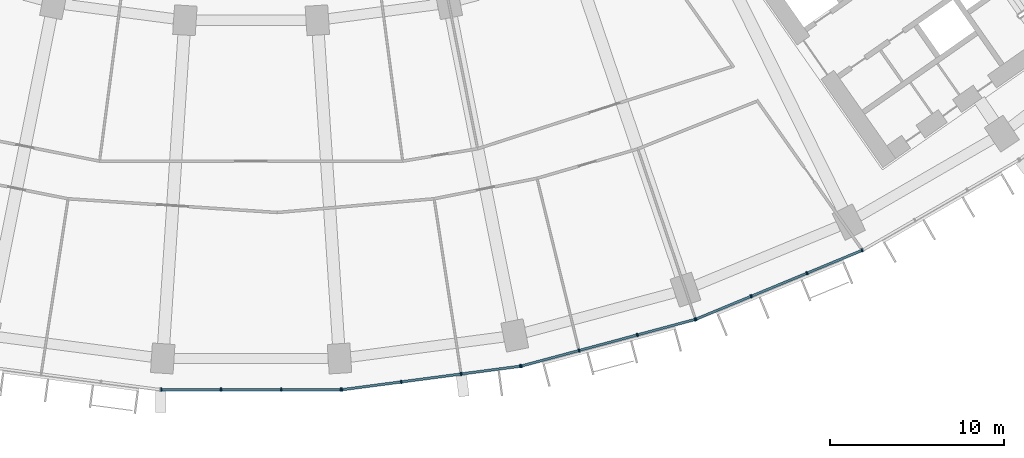
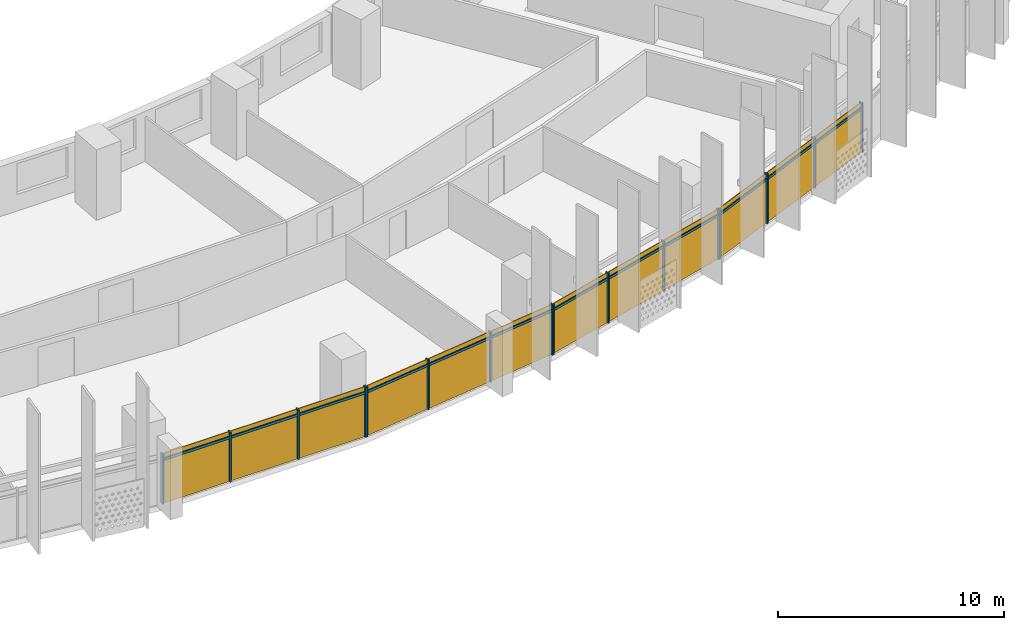
# One storey, part 23 of 32: 28 members, 4 curtain walls.
"""IFC4 building model written with IfcOpenShell, lengths in metres."""

from ifc_helpers import new_model, si_unit, direction, frame, origin, origin_2d, place, context, subcontext, project, spatial, rectangle, extrude, material, material_profile, profile_set, type_object, element, aggregate, save


model = new_model("IFC4")

# Units and contexts
model_context = context("Model", 3, precision=1e-05, world=origin(), true_north=direction((0.0, 1.0)))
body_context = subcontext(model_context, "Body", "Model", "MODEL_VIEW")
ifc_project = project(units=[si_unit("LENGTHUNIT", "METRE"), si_unit("AREAUNIT", "SQUARE_METRE"), si_unit("VOLUMEUNIT", "CUBIC_METRE"), si_unit("PLANEANGLEUNIT", "RADIAN"), si_unit("MASSUNIT", "GRAM", prefix="KILO")], contexts=[model_context])

# Member
ifc_material = material(Name="Aluminium 6063-T6 anodised", Category="aluminium")
ifc_material_profile_1 = material_profile(ifc_material, rectangle(XDim=0.199951171875, YDim=0.070068359375, at=origin_2d()))
ifc_profile_set_1 = profile_set([ifc_material_profile_1], Name="Aluminium 6063-T6 anodised")
member_type_1 = type_object("IfcMemberType", Name="Mullion 70 x 200 aluminium", PredefinedType="MULLION", material=ifc_profile_set_1)
site_placement = place(None, origin())
building_placement = place(site_placement, origin())
storey_placement = place(building_placement, frame((0.0, 0.0, 70.89990234375)))
member_1_placement = place(storey_placement, frame((-5.17431640625, -79.37939453125, 0.0), z_axis=(0.0, 0.0, 1.0), x_axis=(0.0, 1.0, 0.0)))
member_1 = element("IfcMember", 1, at=member_1_placement, type_object=member_type_1, Name="e-cw1-L14-out08/M00", PredefinedType="MULLION", context=body_context, shape_type="SweptSolid", body=[
    extrude(rectangle(XDim=0.199951171875, YDim=0.070068359375, at=origin_2d()), origin(), (0.0, 0.0, 1.0), 2.7001953125),
])

member_2_placement = place(storey_placement, frame((-1.736572265625, -79.37939453125, 0.0), z_axis=(0.0, 0.0, 1.0), x_axis=(0.0, 1.0, 0.0)))
member_2 = element("IfcMember", 2, at=member_2_placement, type_object=member_type_1, Name="e-cw1-L14-out08/M01", PredefinedType="MULLION", context=body_context, shape_type="SweptSolid", body=[
    extrude(rectangle(XDim=0.199951171875, YDim=0.070068359375, at=origin_2d()), origin(), (0.0, 0.0, 1.0), 2.7001953125),
])

member_3_placement = place(storey_placement, frame((1.736572265625, -79.37939453125, 0.0), z_axis=(0.0, 0.0, 1.0), x_axis=(0.0, 1.0, 0.0)))
member_3 = element("IfcMember", 3, at=member_3_placement, type_object=member_type_1, Name="e-cw1-L14-out08/M02", PredefinedType="MULLION", context=body_context, shape_type="SweptSolid", body=[
    extrude(rectangle(XDim=0.199951171875, YDim=0.070068359375, at=origin_2d()), origin(), (0.0, 0.0, 1.0), 2.7001953125),
])

member_4_placement = place(storey_placement, frame((5.17431640625, -79.37939453125, 0.0), z_axis=(0.0, 0.0, 1.0), x_axis=(0.0, 1.0, 0.0)))
member_4 = element("IfcMember", 4, at=member_4_placement, type_object=member_type_1, Name="e-cw1-L14-out08/M03", PredefinedType="MULLION", context=body_context, shape_type="SweptSolid", body=[
    extrude(rectangle(XDim=0.199951171875, YDim=0.070068359375, at=origin_2d()), origin(), (0.0, 0.0, 1.0), 2.7001953125),
])

member_5_placement = place(storey_placement, frame((5.23095703125, -79.375732421875, 0.0), z_axis=(0.0, 0.0, 1.0), x_axis=(-0.13052619222, 0.991444861374, 0.0)))
member_5 = element("IfcMember", 5, at=member_5_placement, type_object=member_type_1, Name="e-cw1-L14-out09/M00", PredefinedType="MULLION", context=body_context, shape_type="SweptSolid", body=[
    extrude(rectangle(XDim=0.199951171875, YDim=0.070068359375, at=origin_2d()), origin(), (0.0, 0.0, 1.0), 2.7001953125),
])

member_6_placement = place(storey_placement, frame((8.639404296875, -78.927001953125, 0.0), z_axis=(0.0, 0.0, 1.0), x_axis=(-0.13052619222, 0.991444861374, 0.0)))
member_6 = element("IfcMember", 6, at=member_6_placement, type_object=member_type_1, Name="e-cw1-L14-out09/M01", PredefinedType="MULLION", context=body_context, shape_type="SweptSolid", body=[
    extrude(rectangle(XDim=0.199951171875, YDim=0.070068359375, at=origin_2d()), origin(), (0.0, 0.0, 1.0), 2.7001953125),
])

member_7_placement = place(storey_placement, frame((12.082763671875, -78.4736328125, 0.0), z_axis=(0.0, 0.0, 1.0), x_axis=(-0.13052619222, 0.991444861374, 0.0)))
member_7 = element("IfcMember", 7, at=member_7_placement, type_object=member_type_1, Name="e-cw1-L14-out09/M02", PredefinedType="MULLION", context=body_context, shape_type="SweptSolid", body=[
    extrude(rectangle(XDim=0.199951171875, YDim=0.070068359375, at=origin_2d()), origin(), (0.0, 0.0, 1.0), 2.7001953125),
])

member_8_placement = place(storey_placement, frame((15.4912109375, -78.02490234375, 0.0), z_axis=(0.0, 0.0, 1.0), x_axis=(-0.13052619222, 0.991444861374, 0.0)))
member_8 = element("IfcMember", 8, at=member_8_placement, type_object=member_type_1, Name="e-cw1-L14-out09/M03", PredefinedType="MULLION", context=body_context, shape_type="SweptSolid", body=[
    extrude(rectangle(XDim=0.199951171875, YDim=0.070068359375, at=origin_2d()), origin(), (0.0, 0.0, 1.0), 2.7001953125),
])

member_9_placement = place(storey_placement, frame((15.546875, -78.013916015625, 0.0), z_axis=(0.0, 0.0, 1.0), x_axis=(-0.258819045103, 0.965925826289, 0.0)))
member_9 = element("IfcMember", 9, at=member_9_placement, type_object=member_type_1, Name="e-cw1-L14-out10/M00", PredefinedType="MULLION", context=body_context, shape_type="SweptSolid", body=[
    extrude(rectangle(XDim=0.199951171875, YDim=0.070068359375, at=origin_2d()), origin(), (0.0, 0.0, 1.0), 2.7001953125),
])

member_10_placement = place(storey_placement, frame((18.86767578125, -77.1240234375, 0.0), z_axis=(0.0, 0.0, 1.0), x_axis=(-0.258819045103, 0.965925826289, 0.0)))
member_10 = element("IfcMember", 10, at=member_10_placement, type_object=member_type_1, Name="e-cw1-L14-out10/M01", PredefinedType="MULLION", context=body_context, shape_type="SweptSolid", body=[
    extrude(rectangle(XDim=0.199951171875, YDim=0.070068359375, at=origin_2d()), origin(), (0.0, 0.0, 1.0), 2.7001953125),
])

member_11_placement = place(storey_placement, frame((22.22216796875, -76.225341796875, 0.0), z_axis=(0.0, 0.0, 1.0), x_axis=(-0.258819045103, 0.965925826289, 0.0)))
member_11 = element("IfcMember", 11, at=member_11_placement, type_object=member_type_1, Name="e-cw1-L14-out10/M02", PredefinedType="MULLION", context=body_context, shape_type="SweptSolid", body=[
    extrude(rectangle(XDim=0.199951171875, YDim=0.070068359375, at=origin_2d()), origin(), (0.0, 0.0, 1.0), 2.7001953125),
])

member_12_placement = place(storey_placement, frame((25.54296875, -75.33544921875, 0.0), z_axis=(0.0, 0.0, 1.0), x_axis=(-0.258819045103, 0.965925826289, 0.0)))
member_12 = element("IfcMember", 12, at=member_12_placement, type_object=member_type_1, Name="e-cw1-L14-out10/M03", PredefinedType="MULLION", context=body_context, shape_type="SweptSolid", body=[
    extrude(rectangle(XDim=0.199951171875, YDim=0.070068359375, at=origin_2d()), origin(), (0.0, 0.0, 1.0), 2.7001953125),
])

member_13_placement = place(storey_placement, frame((25.5966796875, -75.317138671875, 0.0), z_axis=(0.0, 0.0, 1.0), x_axis=(-0.382683432365, 0.923879532511, 0.0)))
member_13 = element("IfcMember", 13, at=member_13_placement, type_object=member_type_1, Name="e-cw1-L14-out11/M00", PredefinedType="MULLION", context=body_context, shape_type="SweptSolid", body=[
    extrude(rectangle(XDim=0.199951171875, YDim=0.070068359375, at=origin_2d()), origin(), (0.0, 0.0, 1.0), 2.7001953125),
])

member_14_placement = place(storey_placement, frame((28.77294921875, -74.00146484375, 0.0), z_axis=(0.0, 0.0, 1.0), x_axis=(-0.382683432365, 0.923879532511, 0.0)))
member_14 = element("IfcMember", 14, at=member_14_placement, type_object=member_type_1, Name="e-cw1-L14-out11/M01", PredefinedType="MULLION", context=body_context, shape_type="SweptSolid", body=[
    extrude(rectangle(XDim=0.199951171875, YDim=0.070068359375, at=origin_2d()), origin(), (0.0, 0.0, 1.0), 2.7001953125),
])

member_15_placement = place(storey_placement, frame((31.9814453125, -72.672607421875, 0.0), z_axis=(0.0, 0.0, 1.0), x_axis=(-0.382683432365, 0.923879532511, 0.0)))
member_15 = element("IfcMember", 15, at=member_15_placement, type_object=member_type_1, Name="e-cw1-L14-out11/M02", PredefinedType="MULLION", context=body_context, shape_type="SweptSolid", body=[
    extrude(rectangle(XDim=0.199951171875, YDim=0.070068359375, at=origin_2d()), origin(), (0.0, 0.0, 1.0), 2.7001953125),
])

member_16_placement = place(storey_placement, frame((35.15771484375, -71.35693359375, 0.0), z_axis=(0.0, 0.0, 1.0), x_axis=(-0.382683432365, 0.923879532511, 0.0)))
member_16 = element("IfcMember", 16, at=member_16_placement, type_object=member_type_1, Name="e-cw1-L14-out11/M03", PredefinedType="MULLION", context=body_context, shape_type="SweptSolid", body=[
    extrude(rectangle(XDim=0.199951171875, YDim=0.070068359375, at=origin_2d()), origin(), (0.0, 0.0, 1.0), 2.7001953125),
])

ifc_material_profile_2 = material_profile(ifc_material, rectangle(XDim=0.139892578125, YDim=0.1201171875, at=origin_2d()))
ifc_profile_set_2 = profile_set([ifc_material_profile_2], Name="Aluminium 6063-T6 anodised")
member_type_2 = type_object("IfcMemberType", Name="Transom 120 x 140 aluminium", PredefinedType="USERDEFINED", material=ifc_profile_set_2)
member_17_placement = place(storey_placement, frame((-5.139404296875, -79.37939453125, 2.400146484375), z_axis=(1.0, 0.0, 0.0), x_axis=(0.0, 1.0, 0.0)))
member_17 = element("IfcMember", 17, at=member_17_placement, type_object=member_type_2, Name="e-cw1-L14-out08/T00", ObjectType="TRANSOM", PredefinedType="USERDEFINED", context=body_context, shape_type="SweptSolid", body=[
    extrude(rectangle(XDim=0.139892578125, YDim=0.1201171875, at=origin_2d()), origin(), (0.0, 0.0, 1.0), 3.367919921875),
])

member_18_placement = place(storey_placement, frame((-1.701416015625, -79.37939453125, 2.400146484375), z_axis=(1.0, 0.0, 0.0), x_axis=(0.0, 1.0, 0.0)))
member_18 = element("IfcMember", 18, at=member_18_placement, type_object=member_type_2, Name="e-cw1-L14-out08/T01", ObjectType="TRANSOM", PredefinedType="USERDEFINED", context=body_context, shape_type="SweptSolid", body=[
    extrude(rectangle(XDim=0.139892578125, YDim=0.1201171875, at=origin_2d()), origin(), (0.0, 0.0, 1.0), 3.40283203125),
])

member_19_placement = place(storey_placement, frame((1.771484375, -79.37939453125, 2.400146484375), z_axis=(1.0, 0.0, 0.0), x_axis=(0.0, 1.0, 0.0)))
member_19 = element("IfcMember", 19, at=member_19_placement, type_object=member_type_2, Name="e-cw1-L14-out08/T02", ObjectType="TRANSOM", PredefinedType="USERDEFINED", context=body_context, shape_type="SweptSolid", body=[
    extrude(rectangle(XDim=0.139892578125, YDim=0.1201171875, at=origin_2d()), origin(), (0.0, 0.0, 1.0), 3.367919921875),
])

member_20_placement = place(storey_placement, frame((5.265625, -79.37109375, 2.400146484375), z_axis=(0.991450594138, 0.130482640159, 0.0), x_axis=(-0.130482640159, 0.991450594138, 0.0)))
member_20 = element("IfcMember", 20, at=member_20_placement, type_object=member_type_2, Name="e-cw1-L14-out09/T00", ObjectType="TRANSOM", PredefinedType="USERDEFINED", context=body_context, shape_type="SweptSolid", body=[
    extrude(rectangle(XDim=0.139892578125, YDim=0.1201171875, at=origin_2d()), origin(), (0.0, 0.0, 1.0), 3.367919921875),
])

member_21_placement = place(storey_placement, frame((8.67431640625, -78.92236328125, 2.400146484375), z_axis=(0.991447700941, 0.130504621753, 0.0), x_axis=(-0.130504621753, 0.991447700941, 0.0)))
member_21 = element("IfcMember", 21, at=member_21_placement, type_object=member_type_2, Name="e-cw1-L14-out09/T01", ObjectType="TRANSOM", PredefinedType="USERDEFINED", context=body_context, shape_type="SweptSolid", body=[
    extrude(rectangle(XDim=0.139892578125, YDim=0.1201171875, at=origin_2d()), origin(), (0.0, 0.0, 1.0), 3.40283203125),
])

member_22_placement = place(storey_placement, frame((12.117431640625, -78.46923828125, 2.400146484375), z_axis=(0.9914412138, 0.130553895303, 0.0), x_axis=(-0.130553895303, 0.9914412138, 0.0)))
member_22 = element("IfcMember", 22, at=member_22_placement, type_object=member_type_2, Name="e-cw1-L14-out09/T02", ObjectType="TRANSOM", PredefinedType="USERDEFINED", context=body_context, shape_type="SweptSolid", body=[
    extrude(rectangle(XDim=0.139892578125, YDim=0.1201171875, at=origin_2d()), origin(), (0.0, 0.0, 1.0), 3.367919921875),
])

member_23_placement = place(storey_placement, frame((15.58056640625, -78.0048828125, 2.400146484375), z_axis=(0.965915368772, 0.258858069935, 0.0), x_axis=(-0.258858069935, 0.965915368772, 0.0)))
member_23 = element("IfcMember", 23, at=member_23_placement, type_object=member_type_2, Name="e-cw1-L14-out10/T00", ObjectType="TRANSOM", PredefinedType="USERDEFINED", context=body_context, shape_type="SweptSolid", body=[
    extrude(rectangle(XDim=0.139892578125, YDim=0.1201171875, at=origin_2d()), origin(), (0.0, 0.0, 1.0), 3.367919921875),
])

member_24_placement = place(storey_placement, frame((18.9013671875, -77.114990234375, 2.400146484375), z_axis=(0.965937804901, 0.258774336176, 0.0), x_axis=(-0.258774336176, 0.965937804901, 0.0)))
member_24 = element("IfcMember", 24, at=member_24_placement, type_object=member_type_2, Name="e-cw1-L14-out10/T01", ObjectType="TRANSOM", PredefinedType="USERDEFINED", context=body_context, shape_type="SweptSolid", body=[
    extrude(rectangle(XDim=0.139892578125, YDim=0.1201171875, at=origin_2d()), origin(), (0.0, 0.0, 1.0), 3.403076171875),
])

member_25_placement = place(storey_placement, frame((22.256103515625, -76.21630859375, 2.400146484375), z_axis=(0.965915368772, 0.258858069935, 0.0), x_axis=(-0.258858069935, 0.965915368772, 0.0)))
member_25 = element("IfcMember", 25, at=member_25_placement, type_object=member_type_2, Name="e-cw1-L14-out10/T02", ObjectType="TRANSOM", PredefinedType="USERDEFINED", context=body_context, shape_type="SweptSolid", body=[
    extrude(rectangle(XDim=0.139892578125, YDim=0.1201171875, at=origin_2d()), origin(), (0.0, 0.0, 1.0), 3.367919921875),
])

member_26_placement = place(storey_placement, frame((25.629150390625, -75.3037109375, 2.400146484375), z_axis=(0.923872807855, 0.382699666719, 0.0), x_axis=(-0.382699666719, 0.923872807855, 0.0)))
member_26 = element("IfcMember", 26, at=member_26_placement, type_object=member_type_2, Name="e-cw1-L14-out11/T00", ObjectType="TRANSOM", PredefinedType="USERDEFINED", context=body_context, shape_type="SweptSolid", body=[
    extrude(rectangle(XDim=0.139892578125, YDim=0.1201171875, at=origin_2d()), origin(), (0.0, 0.0, 1.0), 3.36767578125),
])

member_27_placement = place(storey_placement, frame((28.80517578125, -73.98828125, 2.400146484375), z_axis=(0.92388567708, 0.382668597728, 0.0), x_axis=(-0.382668597728, 0.92388567708, 0.0)))
member_27 = element("IfcMember", 27, at=member_27_placement, type_object=member_type_2, Name="e-cw1-L14-out11/T01", ObjectType="TRANSOM", PredefinedType="USERDEFINED", context=body_context, shape_type="SweptSolid", body=[
    extrude(rectangle(XDim=0.139892578125, YDim=0.1201171875, at=origin_2d()), origin(), (0.0, 0.0, 1.0), 3.403076171875),
])

member_28_placement = place(storey_placement, frame((32.013916015625, -72.6591796875, 2.400146484375), z_axis=(0.923872807855, 0.382699666719, 0.0), x_axis=(-0.382699666719, 0.923872807855, 0.0)))
member_28 = element("IfcMember", 28, at=member_28_placement, type_object=member_type_2, Name="e-cw1-L14-out11/T02", ObjectType="TRANSOM", PredefinedType="USERDEFINED", context=body_context, shape_type="SweptSolid", body=[
    extrude(rectangle(XDim=0.139892578125, YDim=0.1201171875, at=origin_2d()), origin(), (0.0, 0.0, 1.0), 3.36767578125),
])

# Site, building, storey
site = spatial("IfcSite", under=ifc_project, at=site_placement, CompositionType="ELEMENT")
building = spatial("IfcBuilding", under=site, at=building_placement, Name="Qamariyya Broadcast Tower", CompositionType="ELEMENT")
storey = spatial("IfcBuildingStorey", under=building, at=storey_placement, Name="L14", CompositionType="ELEMENT", Elevation=70.89990234375)

# Curtain wall
curtain_wall_type = type_object("IfcCurtainWallType", Name="Unitised curtain wall, anodised aluminium", PredefinedType="NOTDEFINED", material=ifc_material)
curtain_wall_1_placement = place(storey_placement, origin())
curtain_wall_1 = element("IfcCurtainWall", 29, at=curtain_wall_1_placement, inside=storey, type_object=curtain_wall_type, Name="e-cw1-L14-out08", PredefinedType="NOTDEFINED", context=body_context, shape_type="SweptSolid", body=[
    extrude(rectangle(XDim=3.367919921875, YDim=0.031982421875, at=origin_2d()), frame((-3.45556640625, -79.37939453125, 0.0), x_axis=(1.0, 0.0, 0.0)), (0.0, 0.0, 1.0), 2.340087890625),
    extrude(rectangle(XDim=3.367919921875, YDim=0.031982421875, at=origin_2d()), frame((-3.45556640625, -79.37939453125, 2.460205078125), x_axis=(1.0, 0.0, 0.0)), (0.0, 0.0, 1.0), 0.239990234375),
    extrude(rectangle(XDim=3.403076171875, YDim=0.031982421875, at=origin_2d()), frame((0.0, -79.37939453125, 0.0), x_axis=(1.0, 0.0, 0.0)), (0.0, 0.0, 1.0), 2.340087890625),
    extrude(rectangle(XDim=3.403076171875, YDim=0.031982421875, at=origin_2d()), frame((0.0, -79.37939453125, 2.460205078125), x_axis=(1.0, 0.0, 0.0)), (0.0, 0.0, 1.0), 0.239990234375),
    extrude(rectangle(XDim=3.367919921875, YDim=0.031982421875, at=origin_2d()), frame((3.45556640625, -79.37939453125, 0.0), x_axis=(1.0, 0.0, 0.0)), (0.0, 0.0, 1.0), 2.340087890625),
    extrude(rectangle(XDim=3.367919921875, YDim=0.031982421875, at=origin_2d()), frame((3.45556640625, -79.37939453125, 2.460205078125), x_axis=(1.0, 0.0, 0.0)), (0.0, 0.0, 1.0), 0.239990234375),
])

aggregate(curtain_wall_1, [member_1, member_2, member_3, member_4, member_17, member_18, member_19])

curtain_wall_2_placement = place(storey_placement, origin())
curtain_wall_2 = element("IfcCurtainWall", 30, at=curtain_wall_2_placement, inside=storey, type_object=curtain_wall_type, Name="e-cw1-L14-out09", PredefinedType="NOTDEFINED", context=body_context, shape_type="SweptSolid", body=[
    extrude(rectangle(XDim=3.367919921875, YDim=0.031982421875, at=origin_2d()), frame((6.935302734375, -79.1513671875, 0.0), x_axis=(0.991445519925, 0.130521189931, 0.0)), (0.0, 0.0, 1.0), 2.340087890625),
    extrude(rectangle(XDim=3.367919921875, YDim=0.031982421875, at=origin_2d()), frame((6.935302734375, -79.1513671875, 2.460205078125), x_axis=(0.991445519925, 0.130521189931, 0.0)), (0.0, 0.0, 1.0), 0.239990234375),
    extrude(rectangle(XDim=3.40283203125, YDim=0.031982421875, at=origin_2d()), frame((10.361083984375, -78.700439453125, 0.0), x_axis=(0.991445519925, 0.130521189931, 0.0)), (0.0, 0.0, 1.0), 2.340087890625),
    extrude(rectangle(XDim=3.40283203125, YDim=0.031982421875, at=origin_2d()), frame((10.361083984375, -78.700439453125, 2.460205078125), x_axis=(0.991445519925, 0.130521189931, 0.0)), (0.0, 0.0, 1.0), 0.239990234375),
    extrude(rectangle(XDim=3.367919921875, YDim=0.031982421875, at=origin_2d()), frame((13.786865234375, -78.24951171875, 0.0), x_axis=(0.991445519925, 0.130521189931, 0.0)), (0.0, 0.0, 1.0), 2.340087890625),
    extrude(rectangle(XDim=3.367919921875, YDim=0.031982421875, at=origin_2d()), frame((13.786865234375, -78.24951171875, 2.460205078125), x_axis=(0.991445519925, 0.130521189931, 0.0)), (0.0, 0.0, 1.0), 0.239990234375),
])

aggregate(curtain_wall_2, [member_5, member_6, member_7, member_8, member_20, member_21, member_22])

curtain_wall_3_placement = place(storey_placement, origin())
curtain_wall_3 = element("IfcCurtainWall", 31, at=curtain_wall_3_placement, inside=storey, type_object=curtain_wall_type, Name="e-cw1-L14-out10", PredefinedType="NOTDEFINED", context=body_context, shape_type="SweptSolid", body=[
    extrude(rectangle(XDim=3.367919921875, YDim=0.031982421875, at=origin_2d()), frame((17.207275390625, -77.569091796875, 0.0), x_axis=(0.965925039578, 0.258821981129, 0.0)), (0.0, 0.0, 1.0), 2.340087890625),
    extrude(rectangle(XDim=3.367919921875, YDim=0.031982421875, at=origin_2d()), frame((17.207275390625, -77.569091796875, 2.460205078125), x_axis=(0.965925039578, 0.258821981129, 0.0)), (0.0, 0.0, 1.0), 0.239990234375),
    extrude(rectangle(XDim=3.40283203125, YDim=0.031982421875, at=origin_2d()), frame((20.544921875, -76.6748046875, 0.0), x_axis=(0.965925039578, 0.258821981129, 0.0)), (0.0, 0.0, 1.0), 2.340087890625),
    extrude(rectangle(XDim=3.40283203125, YDim=0.031982421875, at=origin_2d()), frame((20.544921875, -76.6748046875, 2.460205078125), x_axis=(0.965925039578, 0.258821981129, 0.0)), (0.0, 0.0, 1.0), 0.239990234375),
    extrude(rectangle(XDim=3.367919921875, YDim=0.031982421875, at=origin_2d()), frame((23.882568359375, -75.7802734375, 0.0), x_axis=(0.965925039578, 0.258821981129, 0.0)), (0.0, 0.0, 1.0), 2.340087890625),
    extrude(rectangle(XDim=3.367919921875, YDim=0.031982421875, at=origin_2d()), frame((23.882568359375, -75.7802734375, 2.460205078125), x_axis=(0.965925039578, 0.258821981129, 0.0)), (0.0, 0.0, 1.0), 0.239990234375),
])

aggregate(curtain_wall_3, [member_9, member_10, member_11, member_12, member_23, member_24, member_25])

curtain_wall_4_placement = place(storey_placement, origin())
curtain_wall_4 = element("IfcCurtainWall", 32, at=curtain_wall_4_placement, inside=storey, type_object=curtain_wall_type, Name="e-cw1-L14-out11", PredefinedType="NOTDEFINED", context=body_context, shape_type="SweptSolid", body=[
    extrude(rectangle(XDim=3.367919921875, YDim=0.031982421875, at=origin_2d()), frame((27.184814453125, -74.659423828125, 0.0), x_axis=(0.92387774222, 0.382687754482, 0.0)), (0.0, 0.0, 1.0), 2.340087890625),
    extrude(rectangle(XDim=3.367919921875, YDim=0.031982421875, at=origin_2d()), frame((27.184814453125, -74.659423828125, 2.460205078125), x_axis=(0.92387774222, 0.382687754482, 0.0)), (0.0, 0.0, 1.0), 0.239990234375),
    extrude(rectangle(XDim=3.40283203125, YDim=0.031982421875, at=origin_2d()), frame((30.377197265625, -73.3369140625, 0.0), x_axis=(0.92387774222, 0.382687754482, 0.0)), (0.0, 0.0, 1.0), 2.340087890625),
    extrude(rectangle(XDim=3.40283203125, YDim=0.031982421875, at=origin_2d()), frame((30.377197265625, -73.3369140625, 2.460205078125), x_axis=(0.92387774222, 0.382687754482, 0.0)), (0.0, 0.0, 1.0), 0.239990234375),
    extrude(rectangle(XDim=3.367919921875, YDim=0.031982421875, at=origin_2d()), frame((33.569580078125, -72.0146484375, 0.0), x_axis=(0.92387774222, 0.382687754482, 0.0)), (0.0, 0.0, 1.0), 2.340087890625),
    extrude(rectangle(XDim=3.367919921875, YDim=0.031982421875, at=origin_2d()), frame((33.569580078125, -72.0146484375, 2.460205078125), x_axis=(0.92387774222, 0.382687754482, 0.0)), (0.0, 0.0, 1.0), 0.239990234375),
])

aggregate(curtain_wall_4, [member_13, member_14, member_15, member_16, member_26, member_27, member_28])

save(model, "model.ifc")
